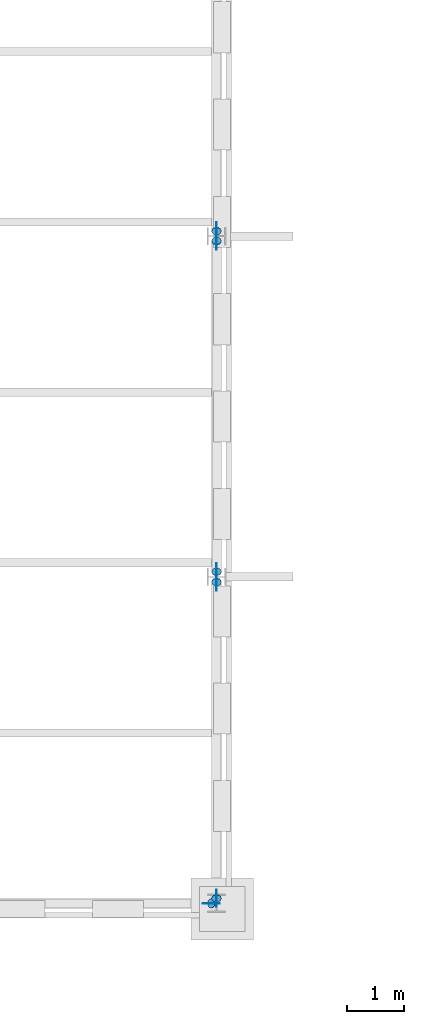
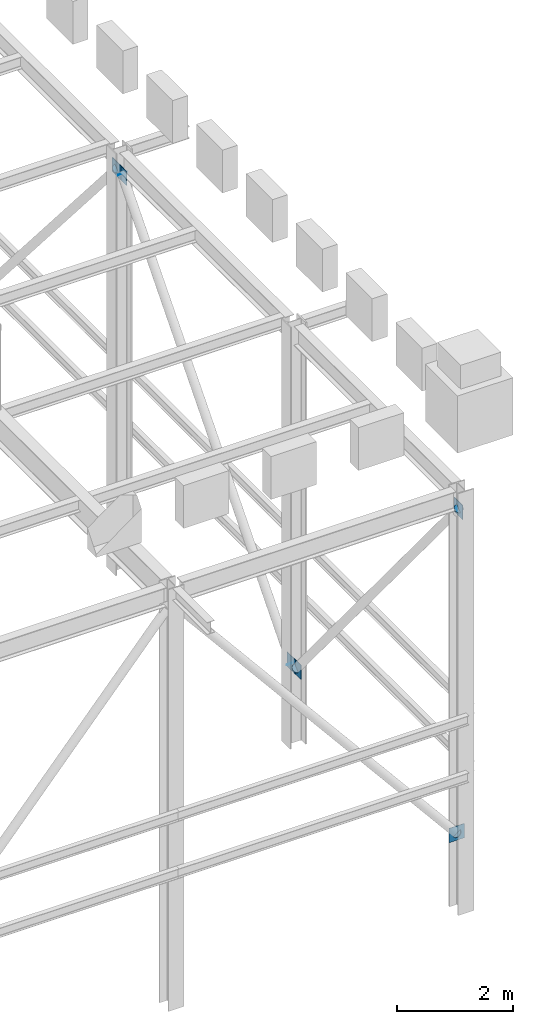
# One storey, part 50 of 57: 12 discrete accessories.
"""IFC4 building model written with IfcOpenShell, lengths in metres."""

import ifcopenshell
import ifcopenshell.guid

model = None  # the IFC model being written
_history = None  # IfcOwnerHistory: only IFC2X3 demands one
_inside = {}  # id of a spatial element -> (the spatial element, [elements in it])
_under = {}  # id of a project, library or spatial element -> (it, [spatial elements below it])
_declared = {}  # id of a project -> (the project, [libraries it declares])
_typed = {}  # id of a type object -> (the type object, [elements of that type])
_made_of = {}  # id of a material, layer set ... -> (it, [elements and type objects made of it])


def new_model(schema):
    """Start an empty IFC model of exactly this schema.

    Asked for "IFC4X3", IfcOpenShell would pick the latest addendum, in which some entities
    have other attributes; the version numbers below select the first issue.
    IFC2X3 requires an IfcOwnerHistory on every rooted entity: one is made here for all.
    """
    global model, _history
    if schema == "IFC4X3":
        model = ifcopenshell.file(schema_version=(4, 3, 0, 0))
    else:
        model = ifcopenshell.file(schema=schema)
    _inside.clear()
    _under.clear()
    _declared.clear()
    _typed.clear()
    _made_of.clear()
    _history = None
    if model.schema == "IFC2X3":
        org = make("IfcOrganization", Name="unknown")
        user = make(
            "IfcPersonAndOrganization",
            ThePerson=make("IfcPerson", FamilyName="unknown"),
            TheOrganization=org,
        )
        app = make(
            "IfcApplication",
            ApplicationDeveloper=org,
            Version="unknown",
            ApplicationFullName="unknown",
            ApplicationIdentifier="unknown",
        )
        _history = make(
            "IfcOwnerHistory",
            OwningUser=user,
            OwningApplication=app,
            ChangeAction="ADDED",
            CreationDate=0,
        )
    return model


def make(cls, **values):
    """One entity of the class cls with the attributes given. An attribute that is None is left unset."""
    return model.create_entity(
        cls, **{name: value for name, value in values.items() if value is not None}
    )


def rooted(cls, **values):
    """An entity with a GlobalId (a new one), such as an element, a storey or a relation."""
    return make(cls, GlobalId=ifcopenshell.guid.new(), OwnerHistory=_history, **values)


def si_unit(unit_type, name, prefix=None):
    """IfcSIUnit, for example si_unit("LENGTHUNIT", "METRE", prefix="MILLI")."""
    return make("IfcSIUnit", UnitType=unit_type, Prefix=prefix, Name=name)


def assignment(units):
    """IfcUnitAssignment: the units of a project."""
    return None if units is None else make("IfcUnitAssignment", Units=units)


def point(xyz):
    """IfcCartesianPoint."""
    return None if xyz is None else make("IfcCartesianPoint", Coordinates=xyz)


def direction(xyz):
    """IfcDirection."""
    return None if xyz is None else make("IfcDirection", DirectionRatios=xyz)


def frame(location, z_axis=None, x_axis=None):
    """IfcAxis2Placement3D, a coordinate frame: its origin and axes. An axis left out is left unset."""
    return make(
        "IfcAxis2Placement3D",
        Location=point(location),
        Axis=direction(z_axis),
        RefDirection=direction(x_axis),
    )


def frame_2d(location, x_axis=None):
    """IfcAxis2Placement2D, a coordinate frame in the plane: its origin and x axis."""
    return make(
        "IfcAxis2Placement2D", Location=point(location), RefDirection=direction(x_axis)
    )


def origin():
    """The frame at (0, 0, 0) with its axes left unset."""
    return frame((0.0, 0.0, 0.0))


def origin_2d():
    """The frame at (0, 0) in the plane with its x axis left unset."""
    return frame_2d((0.0, 0.0))


def place(relative_to, where):
    """IfcLocalPlacement: puts the frame where relative to a parent placement (None: the world)."""
    return make(
        "IfcLocalPlacement", PlacementRelTo=relative_to, RelativePlacement=where
    )


def context(
    kind, dimensions, precision=None, world=None, true_north=None, identifier=None
):
    """IfcGeometricRepresentationContext, for example the 3D "Model" context."""
    return make(
        "IfcGeometricRepresentationContext",
        ContextIdentifier=identifier,
        ContextType=kind,
        CoordinateSpaceDimension=dimensions,
        Precision=precision,
        WorldCoordinateSystem=world,
        TrueNorth=true_north,
    )


def subcontext(parent, identifier, kind, view, scale=None):
    """IfcGeometricRepresentationSubContext, for example "Body" below "Model"."""
    return make(
        "IfcGeometricRepresentationSubContext",
        ContextIdentifier=identifier,
        ContextType=kind,
        ParentContext=parent,
        TargetScale=scale,
        TargetView=view,
    )


def project(units=None, contexts=None):
    """IfcProject with its units and contexts."""
    return rooted(
        "IfcProject",
        Name="project",
        RepresentationContexts=contexts,
        UnitsInContext=assignment(units),
    )


def spatial(cls, under=None, at=None, **own):
    """A site, building, storey or space (cls), placed at a placement, below another one or the project."""
    s = rooted(cls, ObjectPlacement=at, **own)
    if under is not None:
        _under.setdefault(under.id(), (under, []))[1].append(s)
    return s


def profile(cls, at=None, kind="AREA", **sizes):
    """A parametric profile (cls). Its sizes go by their IFC names, for example OverallWidth=200.0."""
    return make(cls, ProfileType=kind, Position=at, **sizes)


def rectangle(**sizes):
    """IfcRectangleProfileDef."""
    return profile("IfcRectangleProfileDef", **sizes)


def circle(**sizes):
    """IfcCircleProfileDef."""
    return profile("IfcCircleProfileDef", **sizes)


def extrude(swept, where, along, depth):
    """IfcExtrudedAreaSolid: the profile swept, set in the frame where, extruded along a direction by depth."""
    return make(
        "IfcExtrudedAreaSolid",
        SweptArea=swept,
        Position=where,
        ExtrudedDirection=direction(along),
        Depth=depth,
    )


def shape(context_of_items, identifier, shape_type, items):
    """IfcShapeRepresentation: the items that make up one representation, for example the "Body"."""
    return make(
        "IfcShapeRepresentation",
        ContextOfItems=context_of_items,
        RepresentationIdentifier=identifier,
        RepresentationType=shape_type,
        Items=items,
    )


def material(Name=None, Category=None):
    """IfcMaterial."""
    return make("IfcMaterial", Name=Name, Category=Category)


def material_profile(
    of_material, cross_section, Name=None, Category=None, Priority=None
):
    """IfcMaterialProfile: a cross section and its material."""
    return make(
        "IfcMaterialProfile",
        Name=Name,
        Material=of_material,
        Profile=cross_section,
        Priority=Priority,
        Category=Category,
    )


def profile_set(profiles, Name=None, composite=None):
    """IfcMaterialProfileSet."""
    return make(
        "IfcMaterialProfileSet",
        Name=Name,
        MaterialProfiles=profiles,
        CompositeProfile=composite,
    )


def made_of(thing, what):
    """Note that an element or type object is made of a material, layer set ...; save() writes the relation."""
    if what is not None:
        _made_of.setdefault(what.id(), (what, []))[1].append(thing)
    return thing


def type_object(cls, material=None, **own):
    """A type object (cls), such as IfcWallType, which elements share."""
    return made_of(rooted(cls, **own), material)


def element(
    cls,
    number,
    at=None,
    inside=None,
    cuts=None,
    type_object=None,
    material=None,
    context=None,
    identifier="Body",
    shape_type=None,
    held_by="IfcProductDefinitionShape",
    body=None,
    shapes=None,
    **own,
):
    """One element of the class cls, such as IfcWall. Its Tag is "e" and its number.

    at: its placement. inside: the storey or other place that contains it. cuts: it is an
    opening in that element (IfcRelVoidsElement). A single representation is given by context,
    identifier, shape_type and body (its items); several are given by shapes. held_by: the class
    of the entity that holds the representations. save() writes the other relations.
    """
    e = rooted(cls, Tag="e%d" % number, ObjectPlacement=at, **own)
    if body is not None:
        shapes = [shape(context, identifier, shape_type, body)]
    if shapes is not None:
        e.Representation = make(held_by, Representations=shapes)
    if inside is not None:
        _inside.setdefault(inside.id(), (inside, []))[1].append(e)
    if cuts is not None:
        rooted(
            "IfcRelVoidsElement", RelatingBuildingElement=cuts, RelatedOpeningElement=e
        )
    if type_object is not None:
        _typed.setdefault(type_object.id(), (type_object, []))[1].append(e)
    return made_of(e, material)


def aggregate(whole, parts):
    """IfcRelAggregates: a whole, such as a stair, and the parts it consists of."""
    return rooted("IfcRelAggregates", RelatingObject=whole, RelatedObjects=parts)


def save(model, path):
    """Write the relations noted so far, then the file.

    IfcRelAggregates (storeys below a building ...), IfcRelContainedInSpatialStructure (elements
    in a storey), IfcRelDefinesByType, IfcRelAssociatesMaterial and IfcRelDeclares: one each for
    every whole, place, type object, material and project.
    """
    for whole, parts in _under.values():
        aggregate(whole, parts)
    for where, things in _inside.values():
        rooted(
            "IfcRelContainedInSpatialStructure",
            RelatedElements=things,
            RelatingStructure=where,
        )
    for kind, things in _typed.values():
        rooted("IfcRelDefinesByType", RelatedObjects=things, RelatingType=kind)
    for what, things in _made_of.values():
        rooted("IfcRelAssociatesMaterial", RelatedObjects=things, RelatingMaterial=what)
    for by, libraries in _declared.values():
        rooted("IfcRelDeclares", RelatingContext=by, RelatedDefinitions=libraries)
    model.write(path)


model = new_model("IFC4")

# Units and contexts
model_context = context("Model", 3, precision=1e-05, world=origin(), true_north=direction((0.0, 1.0)))
body_context = subcontext(model_context, "Body", "Model", "MODEL_VIEW")
ifc_project = project(units=[si_unit("LENGTHUNIT", "METRE"), si_unit("AREAUNIT", "SQUARE_METRE"), si_unit("VOLUMEUNIT", "CUBIC_METRE"), si_unit("PLANEANGLEUNIT", "RADIAN"), si_unit("MASSUNIT", "GRAM", prefix="KILO")], contexts=[model_context])

# Site, building, storey
site_placement = place(None, origin())
site = spatial("IfcSite", under=ifc_project, at=site_placement, CompositionType="ELEMENT")
building_placement = place(site_placement, origin())
building = spatial("IfcBuilding", under=site, at=building_placement, Name="Saffron Lane Theatres", CompositionType="ELEMENT")
storey_placement = place(building_placement, frame((0.0, 0.0, 28.0)))
storey = spatial("IfcBuildingStorey", under=building, at=storey_placement, Name="Upper Roof", CompositionType="ELEMENT", Elevation=28.0)

# Discrete accessories
ifc_material_1 = material(Name="Steel Grade 350", Category="steel")
ifc_material_profile_1 = material_profile(ifc_material_1, rectangle(XDim=0.300048828125, YDim=0.300048828125, at=origin_2d()))
ifc_profile_set_1 = profile_set([ifc_material_profile_1], Name="Steel Grade 350")
discrete_accessory_type_1 = type_object("IfcDiscreteAccessoryType", Name="ST-GUSSET CONNECTION PLATE", PredefinedType="BRACKET", material=ifc_profile_set_1)
for number, where, z_axis, x_axis, name in (
    (1, (47.6572265625, 30.2451171875, 1.61181640625), (0.0, 1.0, 0.0), (-1.0, 0.0, 0.0), "GB115"),
    (2, (47.7451171875, 35.9072265625, 1.61181640625), (1.0, 0.0, 0.0), (0.0, 1.0, 0.0), "GB155"),
    (3, (47.7451171875, 30.3427734375, 8.33203125), (1.0, 0.0, 0.0), (0.0, 1.0, 0.0), "GB156"),
    (4, (47.7451171875, 36.091552734375, 1.60595703125), (1.0, 0.0, 0.0), (0.0, 1.0, 0.0), "GB159"),
    (5, (47.7451171875, 41.908447265625, 8.338134765625), (1.0, 0.0, 0.0), (0.0, 1.0, 0.0), "GB160"),
    (6, (47.7451171875, 42.091552734375, 8.338134765625), (1.0, 0.0, 0.0), (0.0, 1.0, 0.0), "GB164"),
):
    element("IfcDiscreteAccessory", number, at=place(storey_placement, frame(where, z_axis=z_axis, x_axis=x_axis)), inside=storey, type_object=discrete_accessory_type_1, Name=name, PredefinedType="BRACKET", context=body_context, shape_type="SweptSolid", body=[
        extrude(rectangle(XDim=0.300048828125, YDim=0.300048828125, at=origin_2d()), origin(), (0.0, 0.0, 1.0), 0.009765625),
    ])
ifc_material_2 = material(Name="Steel Grade 350", Category="steel")
ifc_material_profile_2 = material_profile(ifc_material_2, circle(Radius=0.084228515625, at=origin_2d()))
ifc_profile_set_2 = profile_set([ifc_material_profile_2], Name="Steel Grade 350")
discrete_accessory_type_2 = type_object("IfcDiscreteAccessoryType", Name="ST-STEEL END CAP 168.3x6.4 CHS", PredefinedType="ANCHORPLATE", material=ifc_profile_set_2)
for number, where, z_axis, x_axis, name in (
    (7, (47.6650390625, 30.25, 1.602783203125), (-0.654151932932, 0.0, 0.756363172452), (0.0, -1.0, 0.0), "EC61"),
    (8, (47.75, 35.9150390625, 1.602783203125), (0.0, -0.654151932932, 0.756363172452), (1.0, 0.0, 0.0), "EC101"),
):
    element("IfcDiscreteAccessory", number, at=place(storey_placement, frame(where, z_axis=z_axis, x_axis=x_axis)), inside=storey, type_object=discrete_accessory_type_2, Name=name, PredefinedType="ANCHORPLATE", context=body_context, shape_type="SweptSolid", body=[
        extrude(circle(Radius=0.084228515625, at=origin_2d()), origin(), (0.0, 0.0, 1.0), 0.011962890625),
    ])
discrete_accessory_placement = place(storey_placement, frame((47.75, 30.3427734375, 8.33203125), z_axis=(0.0, -0.644135745783, 0.764911198117), x_axis=(1.0, 0.0, 0.0)))
element("IfcDiscreteAccessory", 9, at=discrete_accessory_placement, inside=storey, type_object=discrete_accessory_type_2, Name="EC102", PredefinedType="ANCHORPLATE", context=body_context, shape_type="SweptSolid", body=[
    extrude(circle(Radius=0.084228515625, at=origin_2d()), origin(), (0.0, 0.0, 1.0), 0.01220703125),
])
for number, where, z_axis, x_axis, name in (
    (10, (47.75, 36.083740234375, 1.596923828125), (0.0, 0.654151932932, 0.756363172452), (-1.0, 0.0, 0.0), "EC105"),
    (11, (47.75, 41.908447265625, 8.338134765625), (0.0, 0.654151932932, 0.756363172452), (-1.0, 0.0, 0.0), "EC106"),
    (12, (47.75, 42.091552734375, 8.338134765625), (0.0, -0.654151932932, 0.756363172452), (1.0, 0.0, 0.0), "EC110"),
):
    element("IfcDiscreteAccessory", number, at=place(storey_placement, frame(where, z_axis=z_axis, x_axis=x_axis)), inside=storey, type_object=discrete_accessory_type_2, Name=name, PredefinedType="ANCHORPLATE", context=body_context, shape_type="SweptSolid", body=[
        extrude(circle(Radius=0.084228515625, at=origin_2d()), origin(), (0.0, 0.0, 1.0), 0.011962890625),
    ])

save(model, "model.ifc")
